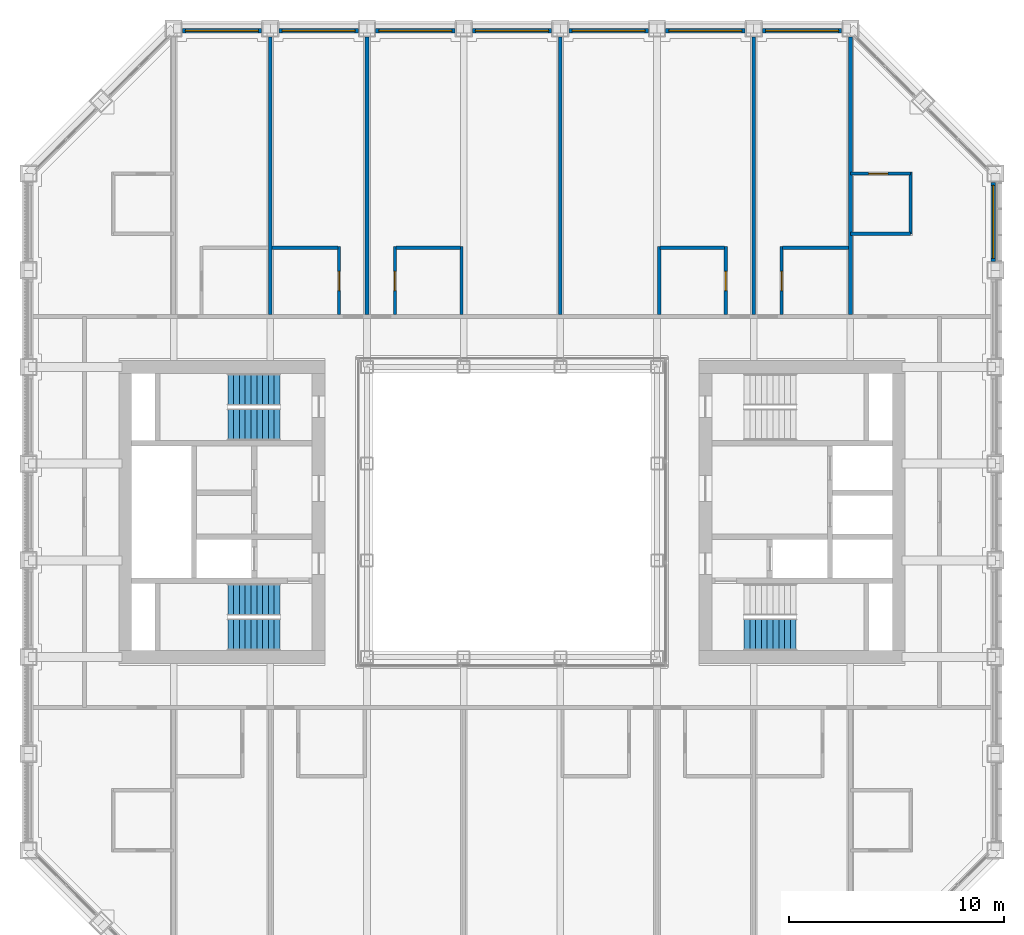
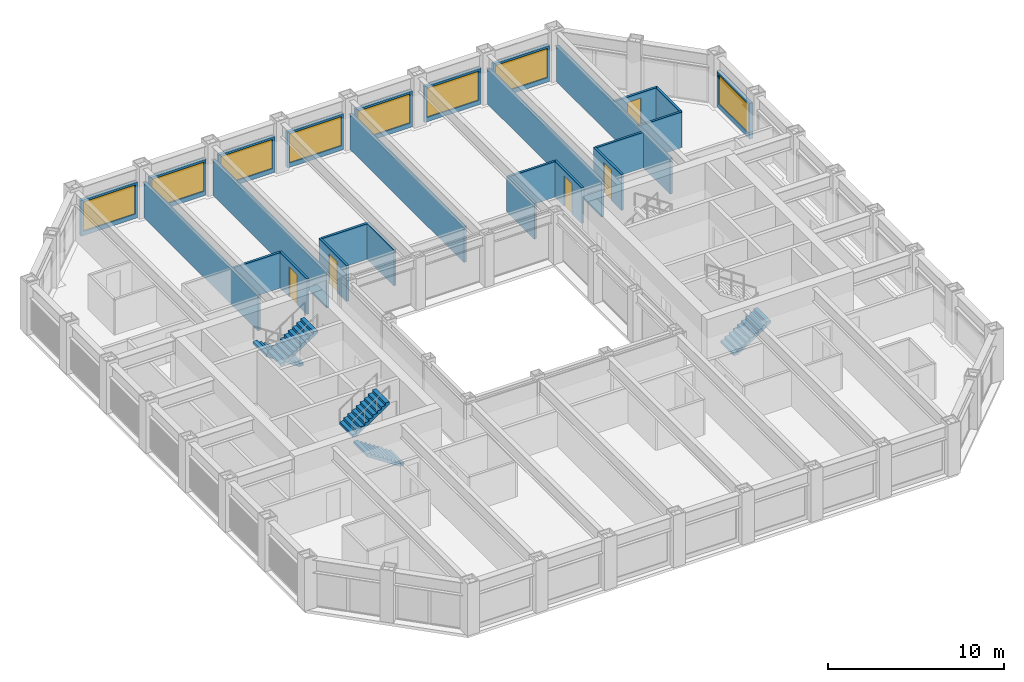
# One storey, part 13 of 17: 26 walls, 8 windows, 5 doors, 5 stair flights, 13 openings, 3 elements without a shape of their own.
"""IFC4 building model written with IfcOpenShell, lengths in metres."""

from ifc_helpers import new_model, si_unit, direction, frame, frame_2d, origin, place, context, subcontext, project, spatial, polyline, rectangle, outline, extrude, material, layer, layer_set, type_object, element, fill, aggregate, save


model = new_model("IFC4")

# Units and contexts
model_context = context("Model", 3, precision=1e-05, world=origin(), true_north=direction((0.0, 1.0)))
body_context = subcontext(model_context, "Body", "Model", "MODEL_VIEW")
ifc_project = project(units=[si_unit("LENGTHUNIT", "METRE"), si_unit("AREAUNIT", "SQUARE_METRE"), si_unit("VOLUMEUNIT", "CUBIC_METRE"), si_unit("PLANEANGLEUNIT", "RADIAN"), si_unit("MASSUNIT", "GRAM", prefix="KILO")], contexts=[model_context])

# Site, building, storey
site_placement = place(None, origin())
site = spatial("IfcSite", under=ifc_project, at=site_placement, CompositionType="ELEMENT")
building_placement = place(site_placement, origin())
building = spatial("IfcBuilding", under=site, at=building_placement, Name="Msasa Ring Tower", CompositionType="ELEMENT")
storey_placement = place(building_placement, frame((0.0, 0.0, 136.39990234375)))
storey = spatial("IfcBuildingStorey", under=building, at=storey_placement, Name="L35", CompositionType="ELEMENT", Elevation=136.39990234375)

# Wall, opening, window
ifc_material_1 = material(Name="Terracotta rainscreen on blockwork", Category="masonry")
ifc_layer_1 = layer(ifc_material_1, 0.199951171875)
ifc_layer_set_1 = layer_set([ifc_layer_1], Name="FW1 TERRACOTTA-LINED INFILL BAY WALL 200")
wall_type_1 = type_object("IfcWallType", Name="FW1 TERRACOTTA-LINED INFILL BAY WALL 200", PredefinedType="SOLIDWALL", material=ifc_layer_set_1)
wall_1_placement = place(storey_placement, frame((22.39990234375, 11.655029296875, 0.0), z_axis=(0.0, 0.0, 1.0), x_axis=(0.0, 1.0, 0.0)))
wall_1 = element("IfcWall", 1, at=wall_1_placement, inside=storey, type_object=wall_type_1, Name="Infill bay wall E L35 15", PredefinedType="SOLIDWALL", context=body_context, shape_type="SweptSolid", body=[
    extrude(rectangle(XDim=3.68994140625, YDim=0.199951171875, at=frame_2d((1.844970703125, 0.0))), origin(), (0.0, 0.0, 1.0), 2.47900390625),
])
opening_1_placement = place(wall_1_placement, frame((0.14501953125, 0.0, 0.300048828125)))
opening_1 = element("IfcOpeningElement", 2, at=opening_1_placement, cuts=wall_1, Name="Opening WN2", PredefinedType="OPENING", context=body_context, shape_type="SweptSolid", body=[
    extrude(rectangle(XDim=3.39990234375, YDim=2.029052734375, at=frame_2d((1.699951171875, 1.0146484375))), frame((0.0, 0.10986328125, 0.0), z_axis=(0.0, -1.0, 0.0), x_axis=(1.0, 0.0, 0.0)), (0.0, 0.0, 1.0), 0.219970703125),
])
ifc_material_2 = material(Name="Aluminium frame with clear glass", Category="aluminium")
window_type = type_object("IfcWindowType", Name="WN2 GUEST ROOM WINDOW 3400x2029", PartitioningType="SINGLE_PANEL", PredefinedType="WINDOW", material=ifc_material_2)
window_1_placement = place(opening_1_placement, origin())
window_1 = element("IfcWindow", 3, at=window_1_placement, inside=storey, type_object=window_type, Name="Window E L35 15", OverallHeight=2.029052734375, OverallWidth=3.39990234375, PartitioningType="SINGLE_PANEL", PredefinedType="WINDOW", context=body_context, shape_type="SweptSolid", body=[
    extrude(rectangle(XDim=3.39990234375, YDim=2.029052734375, at=frame_2d((1.699951171875, 1.0146484375))), frame((0.0, 0.030029296875, 0.0), z_axis=(0.0, -1.0, 0.0), x_axis=(1.0, 0.0, 0.0)), (0.0, 0.0, 1.0), 0.06005859375),
])
fill(opening_1, window_1)

wall_2_placement = place(storey_placement, frame((-15.344970703125, 22.39990234375, 0.0), z_axis=(0.0, 0.0, 1.0), x_axis=(1.0, 0.0, 0.0)))
wall_2 = element("IfcWall", 4, at=wall_2_placement, inside=storey, type_object=wall_type_1, Name="Infill bay wall N L35 18", PredefinedType="SOLIDWALL", context=body_context, shape_type="SweptSolid", body=[
    extrude(rectangle(XDim=3.68994140625, YDim=0.199951171875, at=frame_2d((1.844970703125, 0.0))), origin(), (0.0, 0.0, 1.0), 2.47900390625),
])
opening_2_placement = place(wall_2_placement, frame((0.14501953125, 0.0, 0.300048828125)))
opening_2 = element("IfcOpeningElement", 5, at=opening_2_placement, cuts=wall_2, Name="Opening WN2", PredefinedType="OPENING", context=body_context, shape_type="SweptSolid", body=[
    extrude(rectangle(XDim=3.39990234375, YDim=2.029052734375, at=frame_2d((1.699951171875, 1.0146484375))), frame((0.0, 0.10986328125, 0.0), z_axis=(0.0, -1.0, 0.0), x_axis=(1.0, 0.0, 0.0)), (0.0, 0.0, 1.0), 0.219970703125),
])
window_2_placement = place(opening_2_placement, origin())
window_2 = element("IfcWindow", 6, at=window_2_placement, inside=storey, type_object=window_type, Name="Window N L35 18", OverallHeight=2.029052734375, OverallWidth=3.39990234375, PartitioningType="SINGLE_PANEL", PredefinedType="WINDOW", context=body_context, shape_type="SweptSolid", body=[
    extrude(rectangle(XDim=3.39990234375, YDim=2.029052734375, at=frame_2d((1.699951171875, 1.0146484375))), frame((0.0, 0.030029296875, 0.0), z_axis=(0.0, -1.0, 0.0), x_axis=(1.0, 0.0, 0.0)), (0.0, 0.0, 1.0), 0.06005859375),
])
fill(opening_2, window_2)

wall_3_placement = place(storey_placement, frame((-10.844970703125, 22.39990234375, 0.0), z_axis=(0.0, 0.0, 1.0), x_axis=(1.0, 0.0, 0.0)))
wall_3 = element("IfcWall", 7, at=wall_3_placement, inside=storey, type_object=wall_type_1, Name="Infill bay wall N L35 19", PredefinedType="SOLIDWALL", context=body_context, shape_type="SweptSolid", body=[
    extrude(rectangle(XDim=3.68994140625, YDim=0.199951171875, at=frame_2d((1.844970703125, 0.0))), origin(), (0.0, 0.0, 1.0), 2.47900390625),
])
opening_3_placement = place(wall_3_placement, frame((0.14501953125, 0.0, 0.300048828125)))
opening_3 = element("IfcOpeningElement", 8, at=opening_3_placement, cuts=wall_3, Name="Opening WN2", PredefinedType="OPENING", context=body_context, shape_type="SweptSolid", body=[
    extrude(rectangle(XDim=3.39990234375, YDim=2.029052734375, at=frame_2d((1.699951171875, 1.0146484375))), frame((0.0, 0.10986328125, 0.0), z_axis=(0.0, -1.0, 0.0), x_axis=(1.0, 0.0, 0.0)), (0.0, 0.0, 1.0), 0.219970703125),
])
window_3_placement = place(opening_3_placement, origin())
window_3 = element("IfcWindow", 9, at=window_3_placement, inside=storey, type_object=window_type, Name="Window N L35 19", OverallHeight=2.029052734375, OverallWidth=3.39990234375, PartitioningType="SINGLE_PANEL", PredefinedType="WINDOW", context=body_context, shape_type="SweptSolid", body=[
    extrude(rectangle(XDim=3.39990234375, YDim=2.029052734375, at=frame_2d((1.699951171875, 1.0146484375))), frame((0.0, 0.030029296875, 0.0), z_axis=(0.0, -1.0, 0.0), x_axis=(1.0, 0.0, 0.0)), (0.0, 0.0, 1.0), 0.06005859375),
])
fill(opening_3, window_3)

wall_4_placement = place(storey_placement, frame((-6.344970703125, 22.39990234375, 0.0), z_axis=(0.0, 0.0, 1.0), x_axis=(1.0, 0.0, 0.0)))
wall_4 = element("IfcWall", 10, at=wall_4_placement, inside=storey, type_object=wall_type_1, Name="Infill bay wall N L35 20", PredefinedType="SOLIDWALL", context=body_context, shape_type="SweptSolid", body=[
    extrude(rectangle(XDim=3.68994140625, YDim=0.199951171875, at=frame_2d((1.844970703125, 0.0))), origin(), (0.0, 0.0, 1.0), 2.47900390625),
])
opening_4_placement = place(wall_4_placement, frame((0.14501953125, 0.0, 0.300048828125)))
opening_4 = element("IfcOpeningElement", 11, at=opening_4_placement, cuts=wall_4, Name="Opening WN2", PredefinedType="OPENING", context=body_context, shape_type="SweptSolid", body=[
    extrude(rectangle(XDim=3.39990234375, YDim=2.029052734375, at=frame_2d((1.699951171875, 1.0146484375))), frame((0.0, 0.10986328125, 0.0), z_axis=(0.0, -1.0, 0.0), x_axis=(1.0, 0.0, 0.0)), (0.0, 0.0, 1.0), 0.219970703125),
])
window_4_placement = place(opening_4_placement, origin())
window_4 = element("IfcWindow", 12, at=window_4_placement, inside=storey, type_object=window_type, Name="Window N L35 20", OverallHeight=2.029052734375, OverallWidth=3.39990234375, PartitioningType="SINGLE_PANEL", PredefinedType="WINDOW", context=body_context, shape_type="SweptSolid", body=[
    extrude(rectangle(XDim=3.39990234375, YDim=2.029052734375, at=frame_2d((1.699951171875, 1.0146484375))), frame((0.0, 0.030029296875, 0.0), z_axis=(0.0, -1.0, 0.0), x_axis=(1.0, 0.0, 0.0)), (0.0, 0.0, 1.0), 0.06005859375),
])
fill(opening_4, window_4)

wall_5_placement = place(storey_placement, frame((-1.844970703125, 22.39990234375, 0.0), z_axis=(0.0, 0.0, 1.0), x_axis=(1.0, 0.0, 0.0)))
wall_5 = element("IfcWall", 13, at=wall_5_placement, inside=storey, type_object=wall_type_1, Name="Infill bay wall N L35 21", PredefinedType="SOLIDWALL", context=body_context, shape_type="SweptSolid", body=[
    extrude(rectangle(XDim=3.68994140625, YDim=0.199951171875, at=frame_2d((1.844970703125, 0.0))), origin(), (0.0, 0.0, 1.0), 2.47900390625),
])
opening_5_placement = place(wall_5_placement, frame((0.14501953125, 0.0, 0.300048828125)))
opening_5 = element("IfcOpeningElement", 14, at=opening_5_placement, cuts=wall_5, Name="Opening WN2", PredefinedType="OPENING", context=body_context, shape_type="SweptSolid", body=[
    extrude(rectangle(XDim=3.39990234375, YDim=2.029052734375, at=frame_2d((1.699951171875, 1.0146484375))), frame((0.0, 0.10986328125, 0.0), z_axis=(0.0, -1.0, 0.0), x_axis=(1.0, 0.0, 0.0)), (0.0, 0.0, 1.0), 0.219970703125),
])
window_5_placement = place(opening_5_placement, origin())
window_5 = element("IfcWindow", 15, at=window_5_placement, inside=storey, type_object=window_type, Name="Window N L35 21", OverallHeight=2.029052734375, OverallWidth=3.39990234375, PartitioningType="SINGLE_PANEL", PredefinedType="WINDOW", context=body_context, shape_type="SweptSolid", body=[
    extrude(rectangle(XDim=3.39990234375, YDim=2.029052734375, at=frame_2d((1.699951171875, 1.0146484375))), frame((0.0, 0.030029296875, 0.0), z_axis=(0.0, -1.0, 0.0), x_axis=(1.0, 0.0, 0.0)), (0.0, 0.0, 1.0), 0.06005859375),
])
fill(opening_5, window_5)

wall_6_placement = place(storey_placement, frame((2.655029296875, 22.39990234375, 0.0), z_axis=(0.0, 0.0, 1.0), x_axis=(1.0, 0.0, 0.0)))
wall_6 = element("IfcWall", 16, at=wall_6_placement, inside=storey, type_object=wall_type_1, Name="Infill bay wall N L35 22", PredefinedType="SOLIDWALL", context=body_context, shape_type="SweptSolid", body=[
    extrude(rectangle(XDim=3.68994140625, YDim=0.199951171875, at=frame_2d((1.844970703125, 0.0))), origin(), (0.0, 0.0, 1.0), 2.47900390625),
])
opening_6_placement = place(wall_6_placement, frame((0.14501953125, 0.0, 0.300048828125)))
opening_6 = element("IfcOpeningElement", 17, at=opening_6_placement, cuts=wall_6, Name="Opening WN2", PredefinedType="OPENING", context=body_context, shape_type="SweptSolid", body=[
    extrude(rectangle(XDim=3.39990234375, YDim=2.029052734375, at=frame_2d((1.699951171875, 1.0146484375))), frame((0.0, 0.10986328125, 0.0), z_axis=(0.0, -1.0, 0.0), x_axis=(1.0, 0.0, 0.0)), (0.0, 0.0, 1.0), 0.219970703125),
])
window_6_placement = place(opening_6_placement, origin())
window_6 = element("IfcWindow", 18, at=window_6_placement, inside=storey, type_object=window_type, Name="Window N L35 22", OverallHeight=2.029052734375, OverallWidth=3.39990234375, PartitioningType="SINGLE_PANEL", PredefinedType="WINDOW", context=body_context, shape_type="SweptSolid", body=[
    extrude(rectangle(XDim=3.39990234375, YDim=2.029052734375, at=frame_2d((1.699951171875, 1.0146484375))), frame((0.0, 0.030029296875, 0.0), z_axis=(0.0, -1.0, 0.0), x_axis=(1.0, 0.0, 0.0)), (0.0, 0.0, 1.0), 0.06005859375),
])
fill(opening_6, window_6)

wall_7_placement = place(storey_placement, frame((7.155029296875, 22.39990234375, 0.0), z_axis=(0.0, 0.0, 1.0), x_axis=(1.0, 0.0, 0.0)))
wall_7 = element("IfcWall", 19, at=wall_7_placement, inside=storey, type_object=wall_type_1, Name="Infill bay wall N L35 23", PredefinedType="SOLIDWALL", context=body_context, shape_type="SweptSolid", body=[
    extrude(rectangle(XDim=3.68994140625, YDim=0.199951171875, at=frame_2d((1.844970703125, 0.0))), origin(), (0.0, 0.0, 1.0), 2.47900390625),
])
opening_7_placement = place(wall_7_placement, frame((0.14501953125, 0.0, 0.300048828125)))
opening_7 = element("IfcOpeningElement", 20, at=opening_7_placement, cuts=wall_7, Name="Opening WN2", PredefinedType="OPENING", context=body_context, shape_type="SweptSolid", body=[
    extrude(rectangle(XDim=3.39990234375, YDim=2.029052734375, at=frame_2d((1.699951171875, 1.0146484375))), frame((0.0, 0.10986328125, 0.0), z_axis=(0.0, -1.0, 0.0), x_axis=(1.0, 0.0, 0.0)), (0.0, 0.0, 1.0), 0.219970703125),
])
window_7_placement = place(opening_7_placement, origin())
window_7 = element("IfcWindow", 21, at=window_7_placement, inside=storey, type_object=window_type, Name="Window N L35 23", OverallHeight=2.029052734375, OverallWidth=3.39990234375, PartitioningType="SINGLE_PANEL", PredefinedType="WINDOW", context=body_context, shape_type="SweptSolid", body=[
    extrude(rectangle(XDim=3.39990234375, YDim=2.029052734375, at=frame_2d((1.699951171875, 1.0146484375))), frame((0.0, 0.030029296875, 0.0), z_axis=(0.0, -1.0, 0.0), x_axis=(1.0, 0.0, 0.0)), (0.0, 0.0, 1.0), 0.06005859375),
])
fill(opening_7, window_7)

wall_8_placement = place(storey_placement, frame((11.655029296875, 22.39990234375, 0.0), z_axis=(0.0, 0.0, 1.0), x_axis=(1.0, 0.0, 0.0)))
wall_8 = element("IfcWall", 22, at=wall_8_placement, inside=storey, type_object=wall_type_1, Name="Infill bay wall N L35 24", PredefinedType="SOLIDWALL", context=body_context, shape_type="SweptSolid", body=[
    extrude(rectangle(XDim=3.68994140625, YDim=0.199951171875, at=frame_2d((1.844970703125, 0.0))), origin(), (0.0, 0.0, 1.0), 2.47900390625),
])
opening_8_placement = place(wall_8_placement, frame((0.14501953125, 0.0, 0.300048828125)))
opening_8 = element("IfcOpeningElement", 23, at=opening_8_placement, cuts=wall_8, Name="Opening WN2", PredefinedType="OPENING", context=body_context, shape_type="SweptSolid", body=[
    extrude(rectangle(XDim=3.39990234375, YDim=2.029052734375, at=frame_2d((1.699951171875, 1.0146484375))), frame((0.0, 0.10986328125, 0.0), z_axis=(0.0, -1.0, 0.0), x_axis=(1.0, 0.0, 0.0)), (0.0, 0.0, 1.0), 0.219970703125),
])
window_8_placement = place(opening_8_placement, origin())
window_8 = element("IfcWindow", 24, at=window_8_placement, inside=storey, type_object=window_type, Name="Window N L35 24", OverallHeight=2.029052734375, OverallWidth=3.39990234375, PartitioningType="SINGLE_PANEL", PredefinedType="WINDOW", context=body_context, shape_type="SweptSolid", body=[
    extrude(rectangle(XDim=3.39990234375, YDim=2.029052734375, at=frame_2d((1.699951171875, 1.0146484375))), frame((0.0, 0.030029296875, 0.0), z_axis=(0.0, -1.0, 0.0), x_axis=(1.0, 0.0, 0.0)), (0.0, 0.0, 1.0), 0.06005859375),
])
fill(opening_8, window_8)

# Wall, opening, door
ifc_material_3 = material(Name="Moisture-resistant board on steel studs with a concealed cistern and pipe void, tiled", Category="steel")
ifc_layer_2 = layer(ifc_material_3, 0.14990234375)
ifc_layer_set_2 = layer_set([ifc_layer_2], Name="PT4 BATHROOM WET WALL 150")
wall_type_2 = type_object("IfcWallType", Name="PT4 BATHROOM WET WALL 150", PredefinedType="PARTITIONING", material=ifc_layer_set_2)
wall_9_placement = place(storey_placement, frame((-8.050048828125, 9.199951171875, 0.0), z_axis=(0.0, 0.0, 1.0), x_axis=(0.0, 1.0, 0.0)))
wall_9 = element("IfcWall", 25, at=wall_9_placement, inside=storey, type_object=wall_type_2, Name="Partition L35-GN01BX", PredefinedType="PARTITIONING", context=body_context, shape_type="SweptSolid", body=[
    extrude(rectangle(XDim=3.150146484375, YDim=0.14990234375, at=frame_2d((1.5751953125, 0.0))), origin(), (0.0, 0.0, 1.0), 2.473388671875),
])
opening_9_placement = place(wall_9_placement, frame((1.10009765625, 0.0, 0.0)))
opening_9 = element("IfcOpeningElement", 26, at=opening_9_placement, cuts=wall_9, Name="Opening HB-004", PredefinedType="OPENING", context=body_context, shape_type="SweptSolid", body=[
    extrude(rectangle(XDim=0.89990234375, YDim=2.10009765625, at=frame_2d((0.449951171875, 1.050048828125))), frame((0.0, 0.0849609375, 0.0), z_axis=(0.0, -1.0, 0.0), x_axis=(1.0, 0.0, 0.0)), (0.0, 0.0, 1.0), 0.169921875),
])
ifc_material_4 = material(Name="Timber door leaf in a steel frame", Category="steel")
door_type = type_object("IfcDoorType", Name="D3 BATHROOM DOOR 900x2100", OperationType="SINGLE_SWING_LEFT", PredefinedType="DOOR", material=ifc_material_4)
door_1_placement = place(opening_9_placement, origin())
door_1 = element("IfcDoor", 27, at=door_1_placement, inside=storey, type_object=door_type, Name="Door L35-GN01B", OperationType="SINGLE_SWING_LEFT", OverallHeight=2.10009765625, OverallWidth=0.89990234375, PredefinedType="DOOR", context=body_context, shape_type="SweptSolid", body=[
    extrude(rectangle(XDim=0.89990234375, YDim=2.10009765625, at=frame_2d((0.449951171875, 1.050048828125))), frame((0.0, 0.02490234375, 0.0), z_axis=(0.0, -1.0, 0.0), x_axis=(1.0, 0.0, 0.0)), (0.0, 0.0, 1.0), 0.050048828125),
])
fill(opening_9, door_1)

# Wall
wall_10_placement = place(storey_placement, frame((-11.16259765625, 12.300048828125, 0.0), z_axis=(0.0, 0.0, 1.0), x_axis=(1.0, 0.0, 0.0)))
element("IfcWall", 28, at=wall_10_placement, inside=storey, type_object=wall_type_2, Name="Partition L35-GN01BY", PredefinedType="PARTITIONING", context=body_context, shape_type="SweptSolid", body=[
    extrude(rectangle(XDim=3.0625, YDim=0.14990234375, at=frame_2d((1.53125, 0.0))), origin(), (0.0, 0.0, 1.0), 2.473388671875),
])

# Wall, opening, door
wall_11_placement = place(storey_placement, frame((-5.449951171875, 9.199951171875, 0.0), z_axis=(0.0, 0.0, 1.0), x_axis=(0.0, 1.0, 0.0)))
wall_11 = element("IfcWall", 29, at=wall_11_placement, inside=storey, type_object=wall_type_2, Name="Partition L35-GN02BX", PredefinedType="PARTITIONING", context=body_context, shape_type="SweptSolid", body=[
    extrude(rectangle(XDim=3.150146484375, YDim=0.14990234375, at=frame_2d((1.5751953125, 0.0))), origin(), (0.0, 0.0, 1.0), 2.473388671875),
])
opening_10_placement = place(wall_11_placement, frame((1.10009765625, 0.0, 0.0)))
opening_10 = element("IfcOpeningElement", 30, at=opening_10_placement, cuts=wall_11, Name="Opening HB-005", PredefinedType="OPENING", context=body_context, shape_type="SweptSolid", body=[
    extrude(rectangle(XDim=0.89990234375, YDim=2.10009765625, at=frame_2d((0.449951171875, 1.050048828125))), frame((0.0, 0.0849609375, 0.0), z_axis=(0.0, -1.0, 0.0), x_axis=(1.0, 0.0, 0.0)), (0.0, 0.0, 1.0), 0.169921875),
])
door_2_placement = place(opening_10_placement, origin())
door_2 = element("IfcDoor", 31, at=door_2_placement, inside=storey, type_object=door_type, Name="Door L35-GN02B", OperationType="SINGLE_SWING_LEFT", OverallHeight=2.10009765625, OverallWidth=0.89990234375, PredefinedType="DOOR", context=body_context, shape_type="SweptSolid", body=[
    extrude(rectangle(XDim=0.89990234375, YDim=2.10009765625, at=frame_2d((0.449951171875, 1.050048828125))), frame((0.0, 0.02490234375, 0.0), z_axis=(0.0, -1.0, 0.0), x_axis=(1.0, 0.0, 0.0)), (0.0, 0.0, 1.0), 0.050048828125),
])
fill(opening_10, door_2)

# Walls
wall_12_placement = place(storey_placement, frame((-2.35009765625, 9.199951171875, 0.0), z_axis=(0.0, 0.0, 1.0), x_axis=(0.0, 1.0, 0.0)))
element("IfcWall", 32, at=wall_12_placement, inside=storey, type_object=wall_type_2, Name="Partition L35-GN02BF", PredefinedType="PARTITIONING", context=body_context, shape_type="SweptSolid", body=[
    extrude(rectangle(XDim=3.150146484375, YDim=0.14990234375, at=frame_2d((1.5751953125, 0.0))), origin(), (0.0, 0.0, 1.0), 2.473388671875),
])
wall_13_placement = place(storey_placement, frame((-5.39990234375, 12.300048828125, 0.0), z_axis=(0.0, 0.0, 1.0), x_axis=(1.0, 0.0, 0.0)))
element("IfcWall", 33, at=wall_13_placement, inside=storey, type_object=wall_type_2, Name="Partition L35-GN02BY", PredefinedType="PARTITIONING", context=body_context, shape_type="SweptSolid", body=[
    extrude(rectangle(XDim=3.0, YDim=0.14990234375, at=frame_2d((1.5, 0.0))), origin(), (0.0, 0.0, 1.0), 2.473388671875),
])

# Wall, opening, door
wall_14_placement = place(storey_placement, frame((9.949951171875, 9.199951171875, 0.0), z_axis=(0.0, 0.0, 1.0), x_axis=(0.0, 1.0, 0.0)))
wall_14 = element("IfcWall", 34, at=wall_14_placement, inside=storey, type_object=wall_type_2, Name="Partition L35-GN03BX", PredefinedType="PARTITIONING", context=body_context, shape_type="SweptSolid", body=[
    extrude(rectangle(XDim=3.150146484375, YDim=0.14990234375, at=frame_2d((1.5751953125, 0.0))), origin(), (0.0, 0.0, 1.0), 2.473388671875),
])
opening_11_placement = place(wall_14_placement, frame((1.10009765625, 0.0, 0.0)))
opening_11 = element("IfcOpeningElement", 35, at=opening_11_placement, cuts=wall_14, Name="Opening HB-006", PredefinedType="OPENING", context=body_context, shape_type="SweptSolid", body=[
    extrude(rectangle(XDim=0.89990234375, YDim=2.10009765625, at=frame_2d((0.449951171875, 1.050048828125))), frame((0.0, 0.0849609375, 0.0), z_axis=(0.0, -1.0, 0.0), x_axis=(1.0, 0.0, 0.0)), (0.0, 0.0, 1.0), 0.169921875),
])
door_3_placement = place(opening_11_placement, origin())
door_3 = element("IfcDoor", 36, at=door_3_placement, inside=storey, type_object=door_type, Name="Door L35-GN03B", OperationType="SINGLE_SWING_LEFT", OverallHeight=2.10009765625, OverallWidth=0.89990234375, PredefinedType="DOOR", context=body_context, shape_type="SweptSolid", body=[
    extrude(rectangle(XDim=0.89990234375, YDim=2.10009765625, at=frame_2d((0.449951171875, 1.050048828125))), frame((0.0, 0.02490234375, 0.0), z_axis=(0.0, -1.0, 0.0), x_axis=(1.0, 0.0, 0.0)), (0.0, 0.0, 1.0), 0.050048828125),
])
fill(opening_11, door_3)

# Walls
wall_15_placement = place(storey_placement, frame((6.85009765625, 9.199951171875, 0.0), z_axis=(0.0, 0.0, 1.0), x_axis=(0.0, 1.0, 0.0)))
element("IfcWall", 37, at=wall_15_placement, inside=storey, type_object=wall_type_2, Name="Partition L35-GN03BF", PredefinedType="PARTITIONING", context=body_context, shape_type="SweptSolid", body=[
    extrude(rectangle(XDim=3.150146484375, YDim=0.14990234375, at=frame_2d((1.5751953125, 0.0))), origin(), (0.0, 0.0, 1.0), 2.473388671875),
])
wall_16_placement = place(storey_placement, frame((6.89990234375, 12.300048828125, 0.0), z_axis=(0.0, 0.0, 1.0), x_axis=(1.0, 0.0, 0.0)))
element("IfcWall", 38, at=wall_16_placement, inside=storey, type_object=wall_type_2, Name="Partition L35-GN03BY", PredefinedType="PARTITIONING", context=body_context, shape_type="SweptSolid", body=[
    extrude(rectangle(XDim=3.0, YDim=0.14990234375, at=frame_2d((1.5, 0.0))), origin(), (0.0, 0.0, 1.0), 2.473388671875),
])

# Wall, opening, door
wall_17_placement = place(storey_placement, frame((12.550048828125, 9.199951171875, 0.0), z_axis=(0.0, 0.0, 1.0), x_axis=(0.0, 1.0, 0.0)))
wall_17 = element("IfcWall", 39, at=wall_17_placement, inside=storey, type_object=wall_type_2, Name="Partition L35-GN04BX", PredefinedType="PARTITIONING", context=body_context, shape_type="SweptSolid", body=[
    extrude(rectangle(XDim=3.150146484375, YDim=0.14990234375, at=frame_2d((1.5751953125, 0.0))), origin(), (0.0, 0.0, 1.0), 2.473388671875),
])
opening_12_placement = place(wall_17_placement, frame((1.10009765625, 0.0, 0.0)))
opening_12 = element("IfcOpeningElement", 40, at=opening_12_placement, cuts=wall_17, Name="Opening HB-007", PredefinedType="OPENING", context=body_context, shape_type="SweptSolid", body=[
    extrude(rectangle(XDim=0.89990234375, YDim=2.10009765625, at=frame_2d((0.449951171875, 1.050048828125))), frame((0.0, 0.0849609375, 0.0), z_axis=(0.0, -1.0, 0.0), x_axis=(1.0, 0.0, 0.0)), (0.0, 0.0, 1.0), 0.169921875),
])
door_4_placement = place(opening_12_placement, origin())
door_4 = element("IfcDoor", 41, at=door_4_placement, inside=storey, type_object=door_type, Name="Door L35-GN04B", OperationType="SINGLE_SWING_LEFT", OverallHeight=2.10009765625, OverallWidth=0.89990234375, PredefinedType="DOOR", context=body_context, shape_type="SweptSolid", body=[
    extrude(rectangle(XDim=0.89990234375, YDim=2.10009765625, at=frame_2d((0.449951171875, 1.050048828125))), frame((0.0, 0.02490234375, 0.0), z_axis=(0.0, -1.0, 0.0), x_axis=(1.0, 0.0, 0.0)), (0.0, 0.0, 1.0), 0.050048828125),
])
fill(opening_12, door_4)

# Walls
wall_18_placement = place(storey_placement, frame((12.60009765625, 12.300048828125, 0.0), z_axis=(0.0, 0.0, 1.0), x_axis=(1.0, 0.0, 0.0)))
element("IfcWall", 42, at=wall_18_placement, inside=storey, type_object=wall_type_2, Name="Partition L35-GN04BY", PredefinedType="PARTITIONING", context=body_context, shape_type="SweptSolid", body=[
    extrude(rectangle(XDim=3.0625, YDim=0.14990234375, at=frame_2d((1.53125, 0.0))), origin(), (0.0, 0.0, 1.0), 2.473388671875),
])
wall_19_placement = place(storey_placement, frame((18.550048828125, 12.949951171875, 0.0), z_axis=(0.0, 0.0, 1.0), x_axis=(0.0, 1.0, 0.0)))
element("IfcWall", 43, at=wall_19_placement, inside=storey, type_object=wall_type_2, Name="Partition L35-CSNEBX", PredefinedType="PARTITIONING", context=body_context, shape_type="SweptSolid", body=[
    extrude(rectangle(XDim=2.875, YDim=0.14990234375, at=frame_2d((1.4375, 0.0))), origin(), (0.0, 0.0, 1.0), 2.473388671875),
])
wall_20_placement = place(storey_placement, frame((15.75, 12.949951171875, 0.0), z_axis=(0.0, 0.0, 1.0), x_axis=(1.0, 0.0, 0.0)))
element("IfcWall", 44, at=wall_20_placement, inside=storey, type_object=wall_type_2, Name="Partition L35-CSNEBY", PredefinedType="PARTITIONING", context=body_context, shape_type="SweptSolid", body=[
    extrude(rectangle(XDim=2.800048828125, YDim=0.14990234375, at=frame_2d((1.39990234375, 0.0))), origin(), (0.0, 0.0, 1.0), 2.473388671875),
])

# Wall, opening, door
wall_21_placement = place(storey_placement, frame((15.75, 15.75, 0.0), z_axis=(0.0, 0.0, 1.0), x_axis=(1.0, 0.0, 0.0)))
wall_21 = element("IfcWall", 45, at=wall_21_placement, inside=storey, type_object=wall_type_2, Name="Partition L35-CSNEBZ", PredefinedType="PARTITIONING", context=body_context, shape_type="SweptSolid", body=[
    extrude(rectangle(XDim=2.800048828125, YDim=0.14990234375, at=frame_2d((1.39990234375, 0.0))), origin(), (0.0, 0.0, 1.0), 2.473388671875),
])
opening_13_placement = place(wall_21_placement, frame((0.85009765625, 0.0, 0.0)))
opening_13 = element("IfcOpeningElement", 46, at=opening_13_placement, cuts=wall_21, Name="Opening HB-002", PredefinedType="OPENING", context=body_context, shape_type="SweptSolid", body=[
    extrude(rectangle(XDim=0.89990234375, YDim=2.10009765625, at=frame_2d((0.449951171875, 1.050048828125))), frame((0.0, 0.0849609375, 0.0), z_axis=(0.0, -1.0, 0.0), x_axis=(1.0, 0.0, 0.0)), (0.0, 0.0, 1.0), 0.169921875),
])
door_5_placement = place(opening_13_placement, origin())
door_5 = element("IfcDoor", 47, at=door_5_placement, inside=storey, type_object=door_type, Name="Door L35-CSNEB1", OperationType="SINGLE_SWING_LEFT", OverallHeight=2.10009765625, OverallWidth=0.89990234375, PredefinedType="DOOR", context=body_context, shape_type="SweptSolid", body=[
    extrude(rectangle(XDim=0.89990234375, YDim=2.10009765625, at=frame_2d((0.449951171875, 1.050048828125))), frame((0.0, 0.02490234375, 0.0), z_axis=(0.0, -1.0, 0.0), x_axis=(1.0, 0.0, 0.0)), (0.0, 0.0, 1.0), 0.050048828125),
])
fill(opening_13, door_5)

# Walls
ifc_material_5 = material(Name="Twin steel studs, two layers of acoustic board each face, mineral wool", Category="steel")
ifc_layer_3 = layer(ifc_material_5, 0.175048828125)
ifc_layer_set_3 = layer_set([ifc_layer_3], Name="PT5 GUEST ROOM SEPARATING WALL 175")
wall_type_3 = type_object("IfcWallType", Name="PT5 GUEST ROOM SEPARATING WALL 175", PredefinedType="PARTITIONING", material=ifc_layer_set_3)
for number, where, z_axis, x_axis, name in (
    (48, (-11.25, 9.199951171875, 0.0), (0.0, 0.0, 1.0), (0.0, 1.0, 0.0), "Partition L35-PWN-11.25"),
    (49, (-6.75, 9.199951171875, 0.0), (0.0, 0.0, 1.0), (0.0, 1.0, 0.0), "Partition L35-PWN-6.75"),
    (50, (2.25, 9.199951171875, 0.0), (0.0, 0.0, 1.0), (0.0, 1.0, 0.0), "Partition L35-PWN+2.25"),
    (51, (11.25, 9.199951171875, 0.0), (0.0, 0.0, 1.0), (0.0, 1.0, 0.0), "Partition L35-PWN+11.25"),
    (52, (15.75, 9.199951171875, 0.0), (0.0, 0.0, 1.0), (0.0, 1.0, 0.0), "Partition L35-PWN+15.75"),
):
    element("IfcWall", number, at=place(storey_placement, frame(where, z_axis=z_axis, x_axis=x_axis)), inside=storey, type_object=wall_type_3, Name=name, PredefinedType="PARTITIONING", context=body_context, shape_type="SweptSolid", body=[
        extrude(rectangle(XDim=12.900146484375, YDim=0.175048828125, at=frame_2d((6.4501953125, 0.0))), origin(), (0.0, 0.0, 1.0), 2.473388671875),
    ])

# Stair, stair flight
ifc_material_6 = material(Name="Concrete C40/50", Category="concrete")
stair_type = type_object("IfcStairType", Name="STC CORE STAIR 20 RISERS 180", PredefinedType="HALF_TURN_STAIR", material=ifc_material_6)
stair_1_placement = place(storey_placement, origin())
stair_1 = element("IfcStair", 53, at=stair_1_placement, inside=storey, type_object=stair_type, Name="Core stair SEA L35", PredefinedType="HALF_TURN_STAIR")
ifc_material_7 = material(Name="Concrete C40/50", Category="concrete")
stair_flight_type = type_object("IfcStairFlightType", Name="ST14 CORE STAIR FLIGHT 1500 10 RISERS 180", PredefinedType="STRAIGHT", material=ifc_material_7)
stair_flight_1_placement = place(storey_placement, frame((10.800048828125, -5.699951171875, 0.0), z_axis=(0.0, 0.0, 1.0), x_axis=(1.0, 0.0, 0.0)))
stair_flight_1 = element("IfcStairFlight", 54, at=stair_flight_1_placement, type_object=stair_flight_type, Name="SEA flight 1", NumberOfRisers=10, NumberOfTreads=9, PredefinedType="STRAIGHT", RiserHeight=0.18, TreadLength=0.27, context=body_context, shape_type="SweptSolid", body=[
    extrude(outline(polyline([(0.0, 0.0), (0.0, 0.179931640625), (0.27001953125, 0.179931640625), (0.27001953125, 0.360107421875), (0.5400390625, 0.360107421875), (0.5400390625, 0.5400390625), (0.81005859375, 0.5400390625), (0.81005859375, 0.719970703125), (1.080078125, 0.719970703125), (1.080078125, 0.89990234375), (1.35009765625, 0.89990234375), (1.35009765625, 1.080078125), (1.6201171875, 1.080078125), (1.6201171875, 1.260009765625), (1.889892578125, 1.260009765625), (1.889892578125, 1.43994140625), (2.159912109375, 1.43994140625), (2.159912109375, 1.6201171875), (2.429931640625, 1.6201171875), (2.429931640625, 1.800048828125), (2.429931640625, 1.43994140625), (0.270263671875, 0.0), (0.0, 0.0)])), frame((0.0, 0.75, 0.0), z_axis=(0.0, -1.0, 0.0), x_axis=(1.0, 0.0, 0.0)), (0.0, 0.0, 1.0), 1.5),
])
aggregate(stair_1, [stair_flight_1])

# Stair, stair flights
stair_2_placement = place(storey_placement, origin())
stair_2 = element("IfcStair", 55, at=stair_2_placement, inside=storey, type_object=stair_type, Name="Core stair SWA L35", PredefinedType="HALF_TURN_STAIR")
stair_flight_2_placement = place(storey_placement, frame((-10.800048828125, -5.699951171875, 0.0), z_axis=(0.0, 0.0, 1.0), x_axis=(-1.0, 0.0, 0.0)))
stair_flight_2 = element("IfcStairFlight", 56, at=stair_flight_2_placement, type_object=stair_flight_type, Name="SWA flight 1", NumberOfRisers=10, NumberOfTreads=9, PredefinedType="STRAIGHT", RiserHeight=0.18, TreadLength=0.27, context=body_context, shape_type="SweptSolid", body=[
    extrude(outline(polyline([(0.0, 0.0), (0.0, 0.179931640625), (0.27001953125, 0.179931640625), (0.27001953125, 0.360107421875), (0.5400390625, 0.360107421875), (0.5400390625, 0.5400390625), (0.81005859375, 0.5400390625), (0.81005859375, 0.719970703125), (1.080078125, 0.719970703125), (1.080078125, 0.89990234375), (1.35009765625, 0.89990234375), (1.35009765625, 1.080078125), (1.6201171875, 1.080078125), (1.6201171875, 1.260009765625), (1.889892578125, 1.260009765625), (1.889892578125, 1.43994140625), (2.159912109375, 1.43994140625), (2.159912109375, 1.6201171875), (2.429931640625, 1.6201171875), (2.429931640625, 1.800048828125), (2.429931640625, 1.43994140625), (0.270263671875, 0.0), (0.0, 0.0)])), frame((0.0, 0.75, 0.0), z_axis=(0.0, -1.0, 0.0), x_axis=(1.0, 0.0, 0.0)), (0.0, 0.0, 1.0), 1.5),
])
stair_flight_3_placement = place(storey_placement, frame((-13.22998046875, -4.074951171875, 1.800048828125), z_axis=(0.0, 0.0, 1.0), x_axis=(1.0, 0.0, 0.0)))
stair_flight_3 = element("IfcStairFlight", 57, at=stair_flight_3_placement, type_object=stair_flight_type, Name="SWA flight 2", NumberOfRisers=10, NumberOfTreads=9, PredefinedType="STRAIGHT", RiserHeight=0.18, TreadLength=0.27, context=body_context, shape_type="SweptSolid", body=[
    extrude(outline(polyline([(0.0, 0.0), (0.0, 0.179931640625), (0.27001953125, 0.179931640625), (0.27001953125, 0.360107421875), (0.5400390625, 0.360107421875), (0.5400390625, 0.5400390625), (0.81005859375, 0.5400390625), (0.81005859375, 0.719970703125), (1.080078125, 0.719970703125), (1.080078125, 0.89990234375), (1.35009765625, 0.89990234375), (1.35009765625, 1.080078125), (1.6201171875, 1.080078125), (1.6201171875, 1.260009765625), (1.889892578125, 1.260009765625), (1.889892578125, 1.43994140625), (2.159912109375, 1.43994140625), (2.159912109375, 1.6201171875), (2.429931640625, 1.6201171875), (2.429931640625, 1.800048828125), (2.429931640625, 1.43994140625), (0.270263671875, 0.0), (0.0, 0.0)])), frame((0.0, 0.75, 0.0), z_axis=(0.0, -1.0, 0.0), x_axis=(1.0, 0.0, 0.0)), (0.0, 0.0, 1.0), 1.5),
])
aggregate(stair_2, [stair_flight_2, stair_flight_3])

stair_3_placement = place(storey_placement, origin())
stair_3 = element("IfcStair", 58, at=stair_3_placement, inside=storey, type_object=stair_type, Name="Core stair SWB L35", PredefinedType="HALF_TURN_STAIR")
stair_flight_4_placement = place(storey_placement, frame((-10.800048828125, 5.699951171875, 0.0), z_axis=(0.0, 0.0, 1.0), x_axis=(-1.0, 0.0, 0.0)))
stair_flight_4 = element("IfcStairFlight", 59, at=stair_flight_4_placement, type_object=stair_flight_type, Name="SWB flight 1", NumberOfRisers=10, NumberOfTreads=9, PredefinedType="STRAIGHT", RiserHeight=0.18, TreadLength=0.27, context=body_context, shape_type="SweptSolid", body=[
    extrude(outline(polyline([(0.0, 0.0), (0.0, 0.179931640625), (0.27001953125, 0.179931640625), (0.27001953125, 0.360107421875), (0.5400390625, 0.360107421875), (0.5400390625, 0.5400390625), (0.81005859375, 0.5400390625), (0.81005859375, 0.719970703125), (1.080078125, 0.719970703125), (1.080078125, 0.89990234375), (1.35009765625, 0.89990234375), (1.35009765625, 1.080078125), (1.6201171875, 1.080078125), (1.6201171875, 1.260009765625), (1.889892578125, 1.260009765625), (1.889892578125, 1.43994140625), (2.159912109375, 1.43994140625), (2.159912109375, 1.6201171875), (2.429931640625, 1.6201171875), (2.429931640625, 1.800048828125), (2.429931640625, 1.43994140625), (0.270263671875, 0.0), (0.0, 0.0)])), frame((0.0, 0.75, 0.0), z_axis=(0.0, -1.0, 0.0), x_axis=(1.0, 0.0, 0.0)), (0.0, 0.0, 1.0), 1.5),
])
stair_flight_5_placement = place(storey_placement, frame((-13.22998046875, 4.074951171875, 1.800048828125), z_axis=(0.0, 0.0, 1.0), x_axis=(1.0, 0.0, 0.0)))
stair_flight_5 = element("IfcStairFlight", 60, at=stair_flight_5_placement, type_object=stair_flight_type, Name="SWB flight 2", NumberOfRisers=10, NumberOfTreads=9, PredefinedType="STRAIGHT", RiserHeight=0.18, TreadLength=0.27, context=body_context, shape_type="SweptSolid", body=[
    extrude(outline(polyline([(0.0, 0.0), (0.0, 0.179931640625), (0.27001953125, 0.179931640625), (0.27001953125, 0.360107421875), (0.5400390625, 0.360107421875), (0.5400390625, 0.5400390625), (0.81005859375, 0.5400390625), (0.81005859375, 0.719970703125), (1.080078125, 0.719970703125), (1.080078125, 0.89990234375), (1.35009765625, 0.89990234375), (1.35009765625, 1.080078125), (1.6201171875, 1.080078125), (1.6201171875, 1.260009765625), (1.889892578125, 1.260009765625), (1.889892578125, 1.43994140625), (2.159912109375, 1.43994140625), (2.159912109375, 1.6201171875), (2.429931640625, 1.6201171875), (2.429931640625, 1.800048828125), (2.429931640625, 1.43994140625), (0.270263671875, 0.0), (0.0, 0.0)])), frame((0.0, 0.75, 0.0), z_axis=(0.0, -1.0, 0.0), x_axis=(1.0, 0.0, 0.0)), (0.0, 0.0, 1.0), 1.5),
])
aggregate(stair_3, [stair_flight_4, stair_flight_5])

save(model, "model.ifc")
